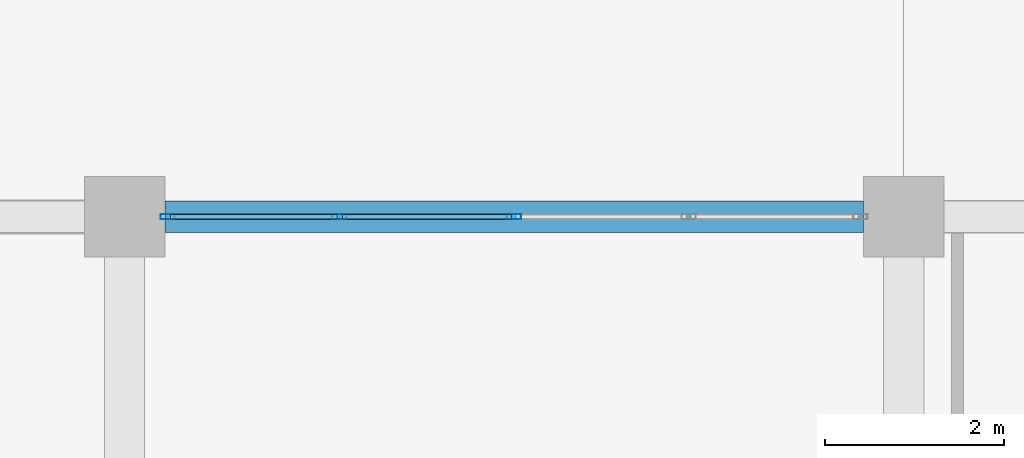
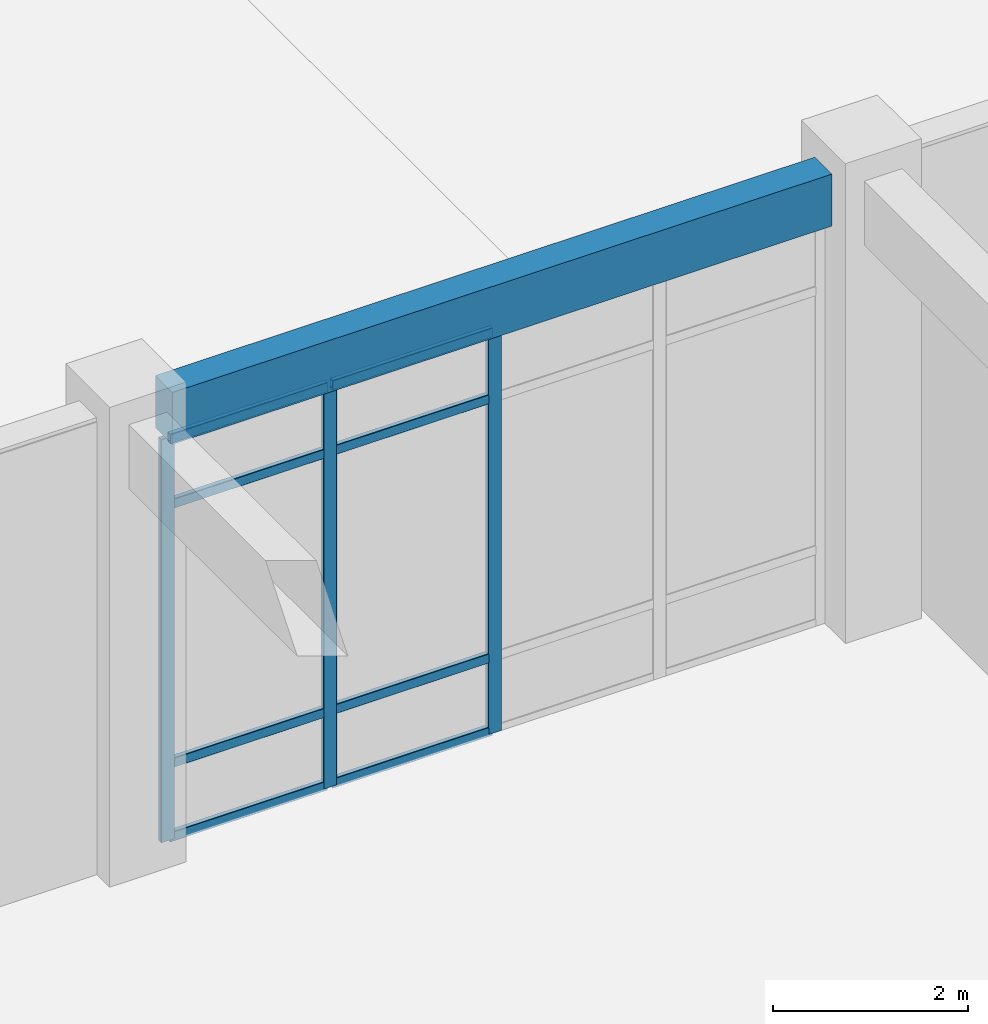
# One storey, part 34 of 82: 11 members, 1 beam, 1 element without a shape of its own.
"""IFC4 building model written with IfcOpenShell, lengths in metres."""

from ifc_helpers import new_model, si_unit, derived_unit, direction, frame, origin, origin_2d, place, context, subcontext, project, spatial, rectangle, hollow_rectangle, extrude, material, layer, layer_set, material_profile, profile_set, type_object, element, aggregate, save


model = new_model("IFC4")

# Units and contexts
model_context = context("Model", 3, precision=1e-05, world=origin(), true_north=direction((0.0, 1.0)))
body_context = subcontext(model_context, "Body", "Model", "MODEL_VIEW")
ifc_project = project(units=[si_unit("LENGTHUNIT", "METRE"), si_unit("AREAUNIT", "SQUARE_METRE"), si_unit("VOLUMEUNIT", "CUBIC_METRE"), si_unit("PLANEANGLEUNIT", "RADIAN"), si_unit("MASSUNIT", "GRAM", prefix="KILO"), derived_unit("THERMALTRANSMITTANCEUNIT", [(si_unit("MASSUNIT", "GRAM", prefix="KILO"), 1), (si_unit("TIMEUNIT", "SECOND"), -3), (si_unit("THERMODYNAMICTEMPERATUREUNIT", "KELVIN"), -1)])], contexts=[model_context])

# Site, building, storey
site_placement = place(None, origin())
site = spatial("IfcSite", under=ifc_project, at=site_placement, CompositionType="ELEMENT")
building_placement = place(site_placement, origin())
building = spatial("IfcBuilding", under=site, at=building_placement, Name="Qinzheling Arcade Emporium", CompositionType="ELEMENT")
storey_placement = place(building_placement, origin())
storey = spatial("IfcBuildingStorey", under=building, at=storey_placement, Name="L01", CompositionType="ELEMENT", Elevation=0.0)

# Curtain wall, members
ifc_material_1 = material(Name="Anodised aluminium and solar-control double glazing", Category="aluminium")
ifc_layer = layer(ifc_material_1, 0.159912109375, Name="Anodised aluminium and solar-control double glazing", Category="aluminium")
ifc_layer_set = layer_set([ifc_layer], Name="Anodised aluminium and solar-control double glazing")
curtain_wall_type = type_object("IfcCurtainWallType", Name="Food Hall Loggia Curtain Wall", PredefinedType="NOTDEFINED", material=ifc_layer_set)
curtain_wall_placement = place(storey_placement, origin())
curtain_wall = element("IfcCurtainWall", 1, at=curtain_wall_placement, inside=storey, type_object=curtain_wall_type, Name="Curtain Wall CW-L01-047", PredefinedType="NOTDEFINED")
ifc_material_2 = material(Name="Anodised aluminium 6063-T6", Category="aluminium")
ifc_material_profile_1 = material_profile(ifc_material_2, hollow_rectangle(XDim=0.06005859375, YDim=0.159912109375, WallThickness=0.00390625, InnerFilletRadius=0.00390625, OuterFilletRadius=0.008056640625, at=origin_2d()), Name="RHS 160x60x4", Category="aluminium")
ifc_profile_set_1 = profile_set([ifc_material_profile_1], Name="Anodised aluminium 6063-T6")
member_type_1 = type_object("IfcMemberType", Name="Curtain Wall Mullion RHS160x60", PredefinedType="MULLION", material=ifc_profile_set_1)
member_1_placement = place(storey_placement, frame((139.681884765625, 33.60009765625, 0.0), z_axis=(0.0, 0.0, 1.0), x_axis=(0.0, 1.0, 0.0)))
member_1 = element("IfcMember", 2, at=member_1_placement, type_object=member_type_1, Name="CW04 mullion 1", PredefinedType="MULLION", context=body_context, shape_type="SweptSolid", body=[
    extrude(hollow_rectangle(XDim=0.06005859375, YDim=0.159912109375, WallThickness=0.00390625, InnerFilletRadius=0.00390625, OuterFilletRadius=0.008056640625, at=origin_2d()), origin(), (0.0, 0.0, 1.0), 5.0400390625),
])
member_2_placement = place(storey_placement, frame((141.60107421875, 33.60009765625, 0.0), z_axis=(0.0, 0.0, 1.0), x_axis=(0.0, 1.0, 0.0)))
member_2 = element("IfcMember", 3, at=member_2_placement, type_object=member_type_1, Name="CW04 mullion 2", PredefinedType="MULLION", context=body_context, shape_type="SweptSolid", body=[
    extrude(hollow_rectangle(XDim=0.06005859375, YDim=0.159912109375, WallThickness=0.00390625, InnerFilletRadius=0.00390625, OuterFilletRadius=0.008056640625, at=origin_2d()), origin(), (0.0, 0.0, 1.0), 5.0400390625),
])
member_3_placement = place(storey_placement, frame((143.550048828125, 33.60009765625, 0.0), z_axis=(0.0, 0.0, 1.0), x_axis=(0.0, 1.0, 0.0)))
member_3 = element("IfcMember", 4, at=member_3_placement, type_object=member_type_1, Name="CW04 mullion 3", PredefinedType="MULLION", context=body_context, shape_type="SweptSolid", body=[
    extrude(hollow_rectangle(XDim=0.06005859375, YDim=0.159912109375, WallThickness=0.00390625, InnerFilletRadius=0.00390625, OuterFilletRadius=0.008056640625, at=origin_2d()), origin(), (0.0, 0.0, 1.0), 5.0400390625),
])
ifc_material_profile_2 = material_profile(ifc_material_2, hollow_rectangle(XDim=0.06005859375, YDim=0.1201171875, WallThickness=0.00390625, InnerFilletRadius=0.00390625, OuterFilletRadius=0.008056640625, at=origin_2d()), Name="RHS 120x60x4", Category="aluminium")
ifc_profile_set_2 = profile_set([ifc_material_profile_2], Name="Anodised aluminium 6063-T6")
member_type_2 = type_object("IfcMemberType", Name="Curtain Wall Transom RHS120x60", PredefinedType="USERDEFINED", material=ifc_profile_set_2)
member_4_placement = place(storey_placement, frame((139.7119140625, 33.60009765625, 0.030029296875), z_axis=(1.0, 0.0, 0.0), x_axis=(0.0, 1.0, 0.0)))
member_4 = element("IfcMember", 5, at=member_4_placement, type_object=member_type_2, Name="CW04 transom 1.1", ObjectType="TRANSOM", PredefinedType="USERDEFINED", context=body_context, shape_type="SweptSolid", body=[
    extrude(hollow_rectangle(XDim=0.06005859375, YDim=0.1201171875, WallThickness=0.00390625, InnerFilletRadius=0.00390625, OuterFilletRadius=0.008056640625, at=origin_2d()), origin(), (0.0, 0.0, 1.0), 1.859130859375),
])
member_5_placement = place(storey_placement, frame((139.7119140625, 33.60009765625, 0.949951171875), z_axis=(1.0, 0.0, 0.0), x_axis=(0.0, 1.0, 0.0)))
member_5 = element("IfcMember", 6, at=member_5_placement, type_object=member_type_2, Name="CW04 transom 1.2", ObjectType="TRANSOM", PredefinedType="USERDEFINED", context=body_context, shape_type="SweptSolid", body=[
    extrude(hollow_rectangle(XDim=0.06005859375, YDim=0.1201171875, WallThickness=0.00390625, InnerFilletRadius=0.00390625, OuterFilletRadius=0.008056640625, at=origin_2d()), origin(), (0.0, 0.0, 1.0), 1.859130859375),
])
member_6_placement = place(storey_placement, frame((139.7119140625, 33.60009765625, 4.18994140625), z_axis=(1.0, 0.0, 0.0), x_axis=(0.0, 1.0, 0.0)))
member_6 = element("IfcMember", 7, at=member_6_placement, type_object=member_type_2, Name="CW04 transom 1.3", ObjectType="TRANSOM", PredefinedType="USERDEFINED", context=body_context, shape_type="SweptSolid", body=[
    extrude(hollow_rectangle(XDim=0.06005859375, YDim=0.1201171875, WallThickness=0.00390625, InnerFilletRadius=0.00390625, OuterFilletRadius=0.008056640625, at=origin_2d()), origin(), (0.0, 0.0, 1.0), 1.859130859375),
])
member_7_placement = place(storey_placement, frame((139.7119140625, 33.60009765625, 5.010009765625), z_axis=(1.0, 0.0, 0.0), x_axis=(0.0, 1.0, 0.0)))
member_7 = element("IfcMember", 8, at=member_7_placement, type_object=member_type_2, Name="CW04 transom 1.4", ObjectType="TRANSOM", PredefinedType="USERDEFINED", context=body_context, shape_type="SweptSolid", body=[
    extrude(hollow_rectangle(XDim=0.06005859375, YDim=0.1201171875, WallThickness=0.00390625, InnerFilletRadius=0.00390625, OuterFilletRadius=0.008056640625, at=origin_2d()), origin(), (0.0, 0.0, 1.0), 1.859130859375),
])
member_8_placement = place(storey_placement, frame((141.631103515625, 33.60009765625, 0.030029296875), z_axis=(1.0, 0.0, 0.0), x_axis=(0.0, 1.0, 0.0)))
member_8 = element("IfcMember", 9, at=member_8_placement, type_object=member_type_2, Name="CW04 transom 2.1", ObjectType="TRANSOM", PredefinedType="USERDEFINED", context=body_context, shape_type="SweptSolid", body=[
    extrude(hollow_rectangle(XDim=0.06005859375, YDim=0.1201171875, WallThickness=0.00390625, InnerFilletRadius=0.00390625, OuterFilletRadius=0.008056640625, at=origin_2d()), origin(), (0.0, 0.0, 1.0), 1.888916015625),
])
member_9_placement = place(storey_placement, frame((141.631103515625, 33.60009765625, 0.949951171875), z_axis=(1.0, 0.0, 0.0), x_axis=(0.0, 1.0, 0.0)))
member_9 = element("IfcMember", 10, at=member_9_placement, type_object=member_type_2, Name="CW04 transom 2.2", ObjectType="TRANSOM", PredefinedType="USERDEFINED", context=body_context, shape_type="SweptSolid", body=[
    extrude(hollow_rectangle(XDim=0.06005859375, YDim=0.1201171875, WallThickness=0.00390625, InnerFilletRadius=0.00390625, OuterFilletRadius=0.008056640625, at=origin_2d()), origin(), (0.0, 0.0, 1.0), 1.888916015625),
])
member_10_placement = place(storey_placement, frame((141.631103515625, 33.60009765625, 4.18994140625), z_axis=(1.0, 0.0, 0.0), x_axis=(0.0, 1.0, 0.0)))
member_10 = element("IfcMember", 11, at=member_10_placement, type_object=member_type_2, Name="CW04 transom 2.3", ObjectType="TRANSOM", PredefinedType="USERDEFINED", context=body_context, shape_type="SweptSolid", body=[
    extrude(hollow_rectangle(XDim=0.06005859375, YDim=0.1201171875, WallThickness=0.00390625, InnerFilletRadius=0.00390625, OuterFilletRadius=0.008056640625, at=origin_2d()), origin(), (0.0, 0.0, 1.0), 1.888916015625),
])
member_11_placement = place(storey_placement, frame((141.631103515625, 33.60009765625, 5.010009765625), z_axis=(1.0, 0.0, 0.0), x_axis=(0.0, 1.0, 0.0)))
member_11 = element("IfcMember", 12, at=member_11_placement, type_object=member_type_2, Name="CW04 transom 2.4", ObjectType="TRANSOM", PredefinedType="USERDEFINED", context=body_context, shape_type="SweptSolid", body=[
    extrude(hollow_rectangle(XDim=0.06005859375, YDim=0.1201171875, WallThickness=0.00390625, InnerFilletRadius=0.00390625, OuterFilletRadius=0.008056640625, at=origin_2d()), origin(), (0.0, 0.0, 1.0), 1.888916015625),
])
aggregate(curtain_wall, [member_1, member_2, member_3, member_4, member_5, member_6, member_7, member_8, member_9, member_10, member_11])

# Beam
ifc_material_3 = material(Name="Concrete C40", Category="concrete")
ifc_material_profile_3 = material_profile(ifc_material_3, rectangle(XDim=0.35009765625, YDim=0.64990234375, at=origin_2d()), Name="RC 350x650", Category="concrete")
ifc_profile_set_3 = profile_set([ifc_material_profile_3], Name="Concrete C40")
beam_type = type_object("IfcBeamType", Name="RC Spandrel Edge Beam 350x650 C40", PredefinedType="SPANDREL", material=ifc_profile_set_3)
beam_placement = place(storey_placement, frame((139.64990234375, 33.60009765625, 5.3798828125), z_axis=(1.0, 0.0, 0.0), x_axis=(0.0, 1.0, 0.0)))
element("IfcBeam", 13, at=beam_placement, inside=storey, type_object=beam_type, Name="Beam BM-L01-X-E-17", PredefinedType="SPANDREL", context=body_context, shape_type="SweptSolid", body=[
    extrude(rectangle(XDim=0.35009765625, YDim=0.64990234375, at=origin_2d()), origin(), (0.0, 0.0, 1.0), 7.800048828125),
])

save(model, "model.ifc")
